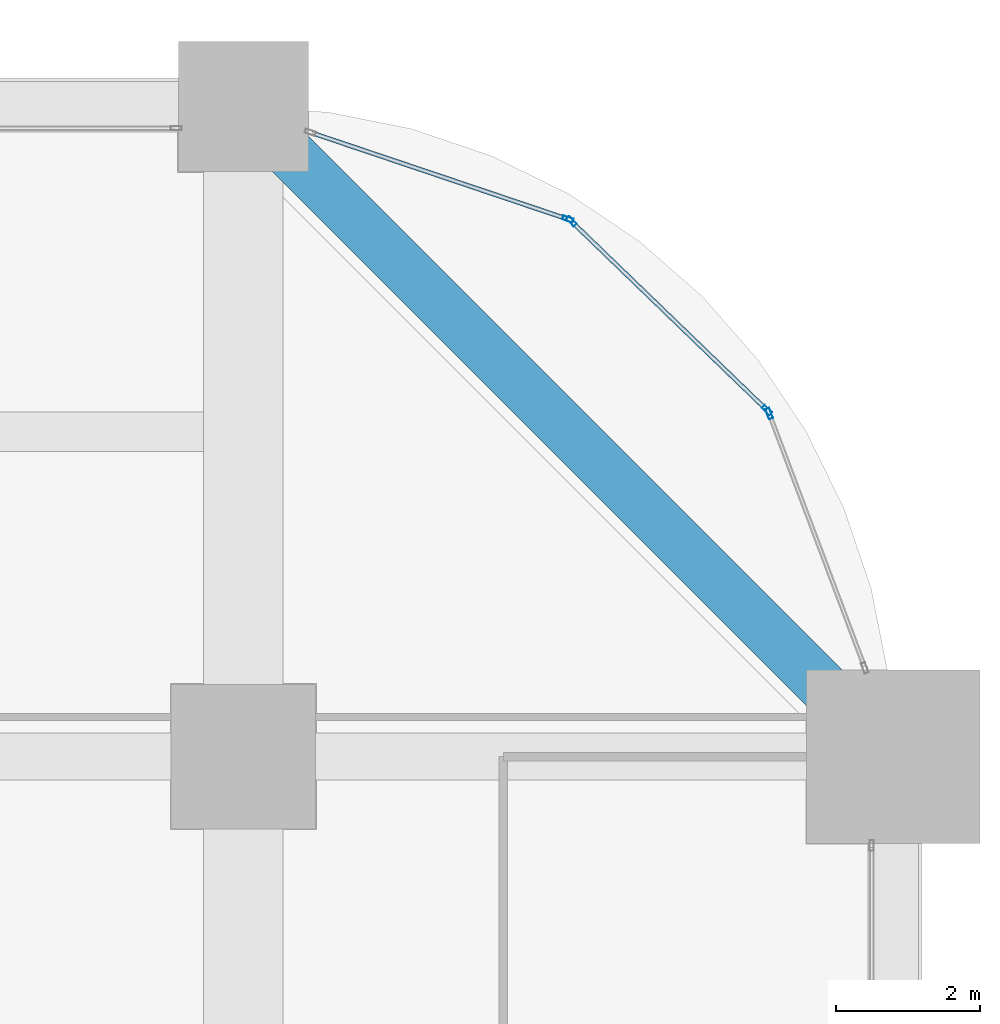
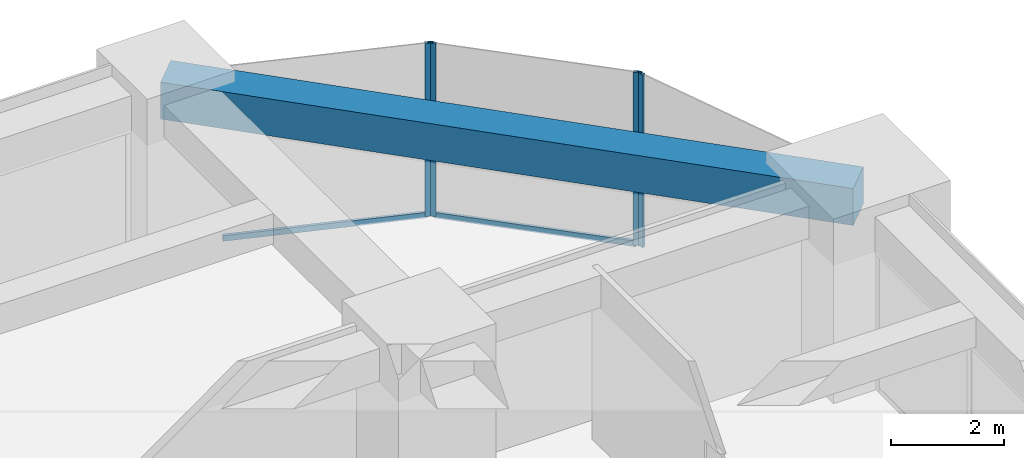
# One storey, part 34 of 41: 6 members, 1 beam, 3 elements without a shape of their own.
"""IFC4 building model written with IfcOpenShell, lengths in metres."""

from ifc_helpers import new_model, si_unit, direction, frame, origin, origin_2d, place, context, subcontext, project, spatial, rectangle, hollow_rectangle, extrude, material, material_profile, profile_set, type_object, element, aggregate, save


model = new_model("IFC4")

# Units and contexts
model_context = context("Model", 3, precision=1e-05, world=origin(), true_north=direction((0.0, 1.0)))
body_context = subcontext(model_context, "Body", "Model", "MODEL_VIEW")
ifc_project = project(units=[si_unit("LENGTHUNIT", "METRE"), si_unit("AREAUNIT", "SQUARE_METRE"), si_unit("VOLUMEUNIT", "CUBIC_METRE"), si_unit("PLANEANGLEUNIT", "RADIAN"), si_unit("MASSUNIT", "GRAM", prefix="KILO")], contexts=[model_context])

# Site, building, storey
site_placement = place(None, origin())
site = spatial("IfcSite", under=ifc_project, at=site_placement, CompositionType="ELEMENT")
building_placement = place(site_placement, origin())
building = spatial("IfcBuilding", under=site, at=building_placement, Name="Zorevar Civic Tower", CompositionType="ELEMENT")
storey_placement = place(building_placement, frame((0.0, 0.0, 109.0)))
storey = spatial("IfcBuildingStorey", under=building, at=storey_placement, Name="L26", CompositionType="ELEMENT", Elevation=109.0)

# Curtain wall, member
ifc_material_1 = material(Name="Dark grey solar-control glass in black aluminium frame", Category="aluminium")
curtain_wall_type = type_object("IfcCurtainWallType", Name="Curtain wall CW3 mid zone", PredefinedType="NOTDEFINED", material=ifc_material_1)
curtain_wall_1_placement = place(storey_placement, origin())
curtain_wall_1 = element("IfcCurtainWall", 1, at=curtain_wall_1_placement, inside=storey, type_object=curtain_wall_type, Name="CW3 L26", PredefinedType="NOTDEFINED")
ifc_material_2 = material(Name="Aluminium, black anodised", Category="aluminium")
ifc_material_profile_1 = material_profile(ifc_material_2, hollow_rectangle(XDim=0.06005859375, YDim=0.14990234375, WallThickness=0.00390625, at=origin_2d()), Name="AL 150x60x4")
ifc_profile_set_1 = profile_set([ifc_material_profile_1], Name="Aluminium, black anodised")
member_type_1 = type_object("IfcMemberType", Name="CW3 mullion AL 150x60x4", PredefinedType="MULLION", material=ifc_profile_set_1)
member_1_placement = place(storey_placement, frame((61.281494140625, 40.749267578125, 0.0), z_axis=(0.0, 0.0, 1.0), x_axis=(-0.935950528564, -0.352131520999, 0.0)))
member_1 = element("IfcMember", 2, at=member_1_placement, type_object=member_type_1, Name="CW3 mullion 2", PredefinedType="MULLION", context=body_context, shape_type="SweptSolid", body=[
    extrude(hollow_rectangle(XDim=0.06005859375, YDim=0.14990234375, WallThickness=0.00390625, at=origin_2d()), origin(), (0.0, 0.0, 1.0), 3.75),
])
aggregate(curtain_wall_1, [member_1])

# Curtain wall, members
curtain_wall_2_placement = place(storey_placement, origin())
curtain_wall_2 = element("IfcCurtainWall", 3, at=curtain_wall_2_placement, inside=storey, type_object=curtain_wall_type, Name="CW3 L26", PredefinedType="NOTDEFINED")
member_2_placement = place(storey_placement, frame((61.249267578125, 40.798095703125, 0.0), z_axis=(0.0, 0.0, 1.0), x_axis=(-0.694719089155, -0.719281160023, 0.0)))
member_2 = element("IfcMember", 4, at=member_2_placement, type_object=member_type_1, Name="CW3 mullion 1", PredefinedType="MULLION", context=body_context, shape_type="SweptSolid", body=[
    extrude(hollow_rectangle(XDim=0.06005859375, YDim=0.14990234375, WallThickness=0.00390625, at=origin_2d()), origin(), (0.0, 0.0, 1.0), 3.75),
])
member_3_placement = place(storey_placement, frame((58.54345703125, 43.41162109375, 0.0), z_axis=(0.0, 0.0, 1.0), x_axis=(-0.694719089155, -0.719281160023, 0.0)))
member_3 = element("IfcMember", 5, at=member_3_placement, type_object=member_type_1, Name="CW3 mullion 2", PredefinedType="MULLION", context=body_context, shape_type="SweptSolid", body=[
    extrude(hollow_rectangle(XDim=0.06005859375, YDim=0.14990234375, WallThickness=0.00390625, at=origin_2d()), origin(), (0.0, 0.0, 1.0), 3.75),
])

# Curtain wall, member
curtain_wall_3_placement = place(storey_placement, origin())
curtain_wall_3 = element("IfcCurtainWall", 6, at=curtain_wall_3_placement, inside=storey, type_object=curtain_wall_type, Name="CW3 L26", PredefinedType="NOTDEFINED")
member_4_placement = place(storey_placement, frame((58.493408203125, 43.442138671875, 0.0), z_axis=(0.0, 0.0, 1.0), x_axis=(-0.319412525043, -0.947615765406, 0.0)))
member_4 = element("IfcMember", 7, at=member_4_placement, type_object=member_type_1, Name="CW3 mullion 1", PredefinedType="MULLION", context=body_context, shape_type="SweptSolid", body=[
    extrude(hollow_rectangle(XDim=0.06005859375, YDim=0.14990234375, WallThickness=0.00390625, at=origin_2d()), origin(), (0.0, 0.0, 1.0), 3.75),
])

# Member
ifc_material_3 = material(Name="Aluminium, black anodised", Category="aluminium")
ifc_material_profile_2 = material_profile(ifc_material_3, hollow_rectangle(XDim=0.06005859375, YDim=0.1201171875, WallThickness=0.0029296875, at=origin_2d()), Name="AL 120x60x3")
ifc_profile_set_2 = profile_set([ifc_material_profile_2], Name="Aluminium, black anodised")
member_type_2 = type_object("IfcMemberType", Name="CW3 transom AL 120x60x3", PredefinedType="USERDEFINED", material=ifc_profile_set_2)
member_5_placement = place(storey_placement, frame((61.227783203125, 40.81884765625, 0.030029296875), z_axis=(-0.719266228526, 0.694734548228, 0.0), x_axis=(-0.694734548228, -0.719266228526, 0.0)))
member_5 = element("IfcMember", 8, at=member_5_placement, type_object=member_type_2, Name="CW3 sill transom", ObjectType="TRANSOM", PredefinedType="USERDEFINED", context=body_context, shape_type="SweptSolid", body=[
    extrude(hollow_rectangle(XDim=0.06005859375, YDim=0.1201171875, WallThickness=0.0029296875, at=origin_2d()), origin(), (0.0, 0.0, 1.0), 3.7021484375),
])

aggregate(curtain_wall_2, [member_2, member_3, member_5])

member_6_placement = place(storey_placement, frame((58.465087890625, 43.45166015625, 0.030029296875), z_axis=(-0.9476295577, 0.319371603893, 0.0), x_axis=(-0.319371603893, -0.9476295577, 0.0)))
member_6 = element("IfcMember", 9, at=member_6_placement, type_object=member_type_2, Name="CW3 sill transom", ObjectType="TRANSOM", PredefinedType="USERDEFINED", context=body_context, shape_type="SweptSolid", body=[
    extrude(hollow_rectangle(XDim=0.06005859375, YDim=0.1201171875, WallThickness=0.0029296875, at=origin_2d()), origin(), (0.0, 0.0, 1.0), 3.7021484375),
])

aggregate(curtain_wall_3, [member_4, member_6])

# Beam
ifc_material_4 = material(Name="Concrete C50/60", Category="concrete")
ifc_material_profile_3 = material_profile(ifc_material_4, rectangle(XDim=0.699951171875, YDim=0.800048828125, at=origin_2d()), Name="RC 700x800")
ifc_profile_set_3 = profile_set([ifc_material_profile_3], Name="Concrete C50/60")
beam_type = type_object("IfcBeamType", Name="Edge beam RC 700x800", PredefinedType="SPANDREL", material=ifc_profile_set_3)
beam_placement = place(storey_placement, frame((63.0, 36.0, 3.35009765625), z_axis=(-0.707106781187, 0.707106781187, 0.0), x_axis=(-0.707106781187, -0.707106781187, 0.0)))
element("IfcBeam", 10, at=beam_placement, inside=storey, type_object=beam_type, Name="Corner edge beam L27", PredefinedType="SPANDREL", context=body_context, shape_type="SweptSolid", body=[
    extrude(rectangle(XDim=0.699951171875, YDim=0.800048828125, at=origin_2d()), origin(), (0.0, 0.0, 1.0), 12.72802734375),
])

save(model, "model.ifc")
